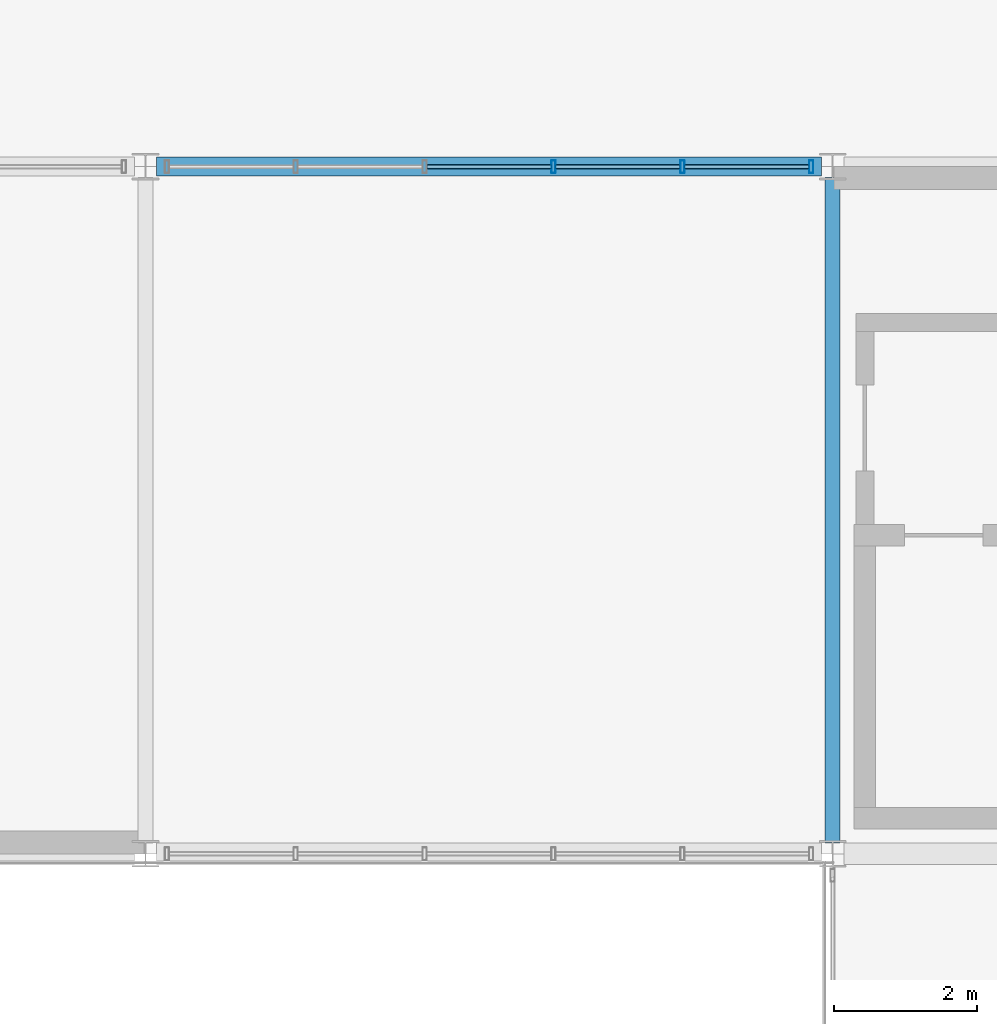
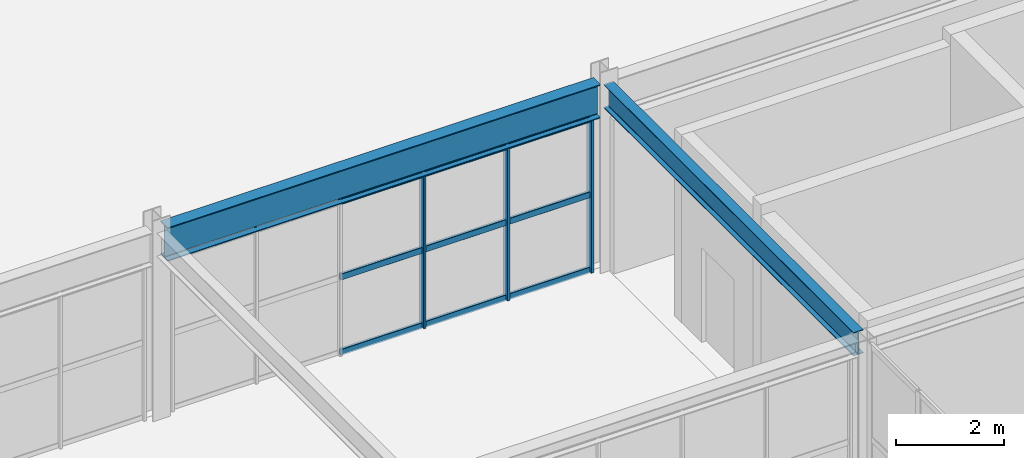
# One storey, part 103 of 170: 12 members, 2 beams, 1 element without a shape of its own.
"""IFC4 building model written with IfcOpenShell, lengths in metres."""

from ifc_helpers import new_model, si_unit, direction, frame, origin, origin_2d, place, context, subcontext, project, spatial, hollow_rectangle, i_section, extrude, material, material_profile, profile_set, type_object, element, aggregate, save


model = new_model("IFC4")

# Units and contexts
model_context = context("Model", 3, precision=1e-05, world=origin(), true_north=direction((0.0, 1.0)))
body_context = subcontext(model_context, "Body", "Model", "MODEL_VIEW")
ifc_project = project(units=[si_unit("LENGTHUNIT", "METRE"), si_unit("AREAUNIT", "SQUARE_METRE"), si_unit("VOLUMEUNIT", "CUBIC_METRE"), si_unit("PLANEANGLEUNIT", "RADIAN"), si_unit("MASSUNIT", "GRAM", prefix="KILO")], contexts=[model_context])

# Site, building, storey
site_placement = place(None, origin())
site = spatial("IfcSite", under=ifc_project, at=site_placement, CompositionType="ELEMENT")
building_placement = place(site_placement, origin())
building = spatial("IfcBuilding", under=site, at=building_placement, Name="Coralgate Yard Interchange", CompositionType="ELEMENT")
storey_placement = place(building_placement, frame((0.0, 0.0, 6.0)))
storey = spatial("IfcBuildingStorey", under=building, at=storey_placement, Name="L01", CompositionType="ELEMENT", Elevation=6.0)

# Beams
ifc_material_1 = material(Name="Structural steel S355J2", Category="steel")
ifc_material_profile_1 = material_profile(ifc_material_1, i_section(OverallWidth=0.209228515625, OverallDepth=0.533203125, WebThickness=0.010009765625, FlangeThickness=0.015625, FilletRadius=0.0126953125, at=origin_2d()), Name="UB 533x210x92")
ifc_profile_set_1 = profile_set([ifc_material_profile_1], Name="Structural steel S355J2")
beam_type_1 = type_object("IfcBeamType", Name="BM-SB-1", PredefinedType="BEAM", material=ifc_profile_set_1)
beam_1_placement = place(storey_placement, frame((124.800048828125, 67.35400390625, 3.9833984375), z_axis=(0.0, 1.0, 0.0), x_axis=(-1.0, 0.0, 0.0)))
element("IfcBeam", 1, at=beam_1_placement, inside=storey, type_object=beam_type_1, Name="L01 primary grid girder X13 Y7-8", PredefinedType="BEAM", context=body_context, shape_type="SweptSolid", body=[
    extrude(i_section(OverallWidth=0.209228515625, OverallDepth=0.533203125, WebThickness=0.010009765625, FlangeThickness=0.015625, FilletRadius=0.0126953125, at=origin_2d()), origin(), (0.0, 0.0, 1.0), 9.2919921875),
])
ifc_material_profile_2 = material_profile(ifc_material_1, i_section(OverallWidth=0.2666015625, OverallDepth=0.76220703125, WebThickness=0.014404296875, FlangeThickness=0.021484375, FilletRadius=0.0166015625, at=origin_2d()), Name="UB 762x267x173")
ifc_profile_set_2 = profile_set([ifc_material_profile_2], Name="Structural steel S355J2")
beam_type_2 = type_object("IfcBeamType", Name="BM-SG-3", PredefinedType="BEAM", material=ifc_profile_set_2)
beam_2_placement = place(storey_placement, frame((115.356201171875, 76.800048828125, 3.868896484375), z_axis=(1.0, 0.0, 0.0), x_axis=(0.0, 1.0, 0.0)))
element("IfcBeam", 2, at=beam_2_placement, inside=storey, type_object=beam_type_2, Name="L01 primary grid beam Y8 X12-13", PredefinedType="BEAM", context=body_context, shape_type="SweptSolid", body=[
    extrude(i_section(OverallWidth=0.2666015625, OverallDepth=0.76220703125, WebThickness=0.014404296875, FlangeThickness=0.021484375, FilletRadius=0.0166015625, at=origin_2d()), origin(), (0.0, 0.0, 1.0), 9.28759765625),
])

# Curtain wall, members
ifc_material_2 = material(Name="Anodised coastal aluminium and solar-control low-E glass", Category="aluminium")
curtain_wall_type = type_object("IfcCurtainWallType", Name="CW-CW-L01-B", PredefinedType="NOTDEFINED", material=ifc_material_2)
curtain_wall_placement = place(storey_placement, origin())
curtain_wall = element("IfcCurtainWall", 3, at=curtain_wall_placement, inside=storey, type_object=curtain_wall_type, Name="L01 unitised curtain wall CW-L01-N-12-07", PredefinedType="NOTDEFINED")
ifc_material_3 = material(Name="Anodised coastal aluminium 6063-T6", Category="aluminium")
ifc_material_profile_3 = material_profile(ifc_material_3, hollow_rectangle(XDim=0.06005859375, YDim=0.179931640625, WallThickness=0.00390625, InnerFilletRadius=0.00390625, OuterFilletRadius=0.008056640625, at=origin_2d()), Name="ALU 60x180x4")
ifc_profile_set_3 = profile_set([ifc_material_profile_3], Name="Anodised coastal aluminium 6063-T6")
member_type_1 = type_object("IfcMemberType", Name="MB-MUL-180", PredefinedType="MULLION", material=ifc_profile_set_3)
member_1_placement = place(storey_placement, frame((120.89990234375, 76.800048828125, 0.0), z_axis=(0.0, 0.0, 1.0), x_axis=(1.0, 0.0, 0.0)))
member_1 = element("IfcMember", 4, at=member_1_placement, type_object=member_type_1, Name="CW-L01-N-12-07 vertical mullion 4", PredefinedType="MULLION", context=body_context, shape_type="SweptSolid", body=[
    extrude(hollow_rectangle(XDim=0.06005859375, YDim=0.179931640625, WallThickness=0.00390625, InnerFilletRadius=0.00390625, OuterFilletRadius=0.008056640625, at=origin_2d()), origin(), (0.0, 0.0, 1.0), 3.48779296875),
])
member_2_placement = place(storey_placement, frame((122.699951171875, 76.800048828125, 0.0), z_axis=(0.0, 0.0, 1.0), x_axis=(1.0, 0.0, 0.0)))
member_2 = element("IfcMember", 5, at=member_2_placement, type_object=member_type_1, Name="CW-L01-N-12-07 vertical mullion 5", PredefinedType="MULLION", context=body_context, shape_type="SweptSolid", body=[
    extrude(hollow_rectangle(XDim=0.06005859375, YDim=0.179931640625, WallThickness=0.00390625, InnerFilletRadius=0.00390625, OuterFilletRadius=0.008056640625, at=origin_2d()), origin(), (0.0, 0.0, 1.0), 3.48779296875),
])
member_3_placement = place(storey_placement, frame((124.5, 76.800048828125, 0.0), z_axis=(0.0, 0.0, 1.0), x_axis=(1.0, 0.0, 0.0)))
member_3 = element("IfcMember", 6, at=member_3_placement, type_object=member_type_1, Name="CW-L01-N-12-07 vertical mullion 6", PredefinedType="MULLION", context=body_context, shape_type="SweptSolid", body=[
    extrude(hollow_rectangle(XDim=0.06005859375, YDim=0.179931640625, WallThickness=0.00390625, InnerFilletRadius=0.00390625, OuterFilletRadius=0.008056640625, at=origin_2d()), origin(), (0.0, 0.0, 1.0), 3.48779296875),
])
ifc_material_profile_4 = material_profile(ifc_material_3, hollow_rectangle(XDim=0.06005859375, YDim=0.139892578125, WallThickness=0.00341796875, InnerFilletRadius=0.00341796875, OuterFilletRadius=0.007080078125, at=origin_2d()), Name="ALU 60x140x3.5")
ifc_profile_set_4 = profile_set([ifc_material_profile_4], Name="Anodised coastal aluminium 6063-T6")
member_type_2 = type_object("IfcMemberType", Name="MB-TRN-140", PredefinedType="USERDEFINED", material=ifc_profile_set_4)
member_4_placement = place(storey_placement, frame((119.1298828125, 76.800048828125, 0.034912109375), z_axis=(1.0, 0.0, 0.0), x_axis=(0.0, 1.0, 0.0)))
member_4 = element("IfcMember", 7, at=member_4_placement, type_object=member_type_2, Name="CW-L01-N-12-07 horizontal transom 3-1", ObjectType="TRANSOM", PredefinedType="USERDEFINED", context=body_context, shape_type="SweptSolid", body=[
    extrude(hollow_rectangle(XDim=0.06005859375, YDim=0.139892578125, WallThickness=0.00341796875, InnerFilletRadius=0.00341796875, OuterFilletRadius=0.007080078125, at=origin_2d()), origin(), (0.0, 0.0, 1.0), 1.740234375),
])
member_5_placement = place(storey_placement, frame((119.1298828125, 76.800048828125, 1.743896484375), z_axis=(1.0, 0.0, 0.0), x_axis=(0.0, 1.0, 0.0)))
member_5 = element("IfcMember", 8, at=member_5_placement, type_object=member_type_2, Name="CW-L01-N-12-07 horizontal transom 3-2", ObjectType="TRANSOM", PredefinedType="USERDEFINED", context=body_context, shape_type="SweptSolid", body=[
    extrude(hollow_rectangle(XDim=0.06005859375, YDim=0.139892578125, WallThickness=0.00341796875, InnerFilletRadius=0.00341796875, OuterFilletRadius=0.007080078125, at=origin_2d()), origin(), (0.0, 0.0, 1.0), 1.740234375),
])
member_6_placement = place(storey_placement, frame((119.1298828125, 76.800048828125, 3.452880859375), z_axis=(1.0, 0.0, 0.0), x_axis=(0.0, 1.0, 0.0)))
member_6 = element("IfcMember", 9, at=member_6_placement, type_object=member_type_2, Name="CW-L01-N-12-07 horizontal transom 3-3", ObjectType="TRANSOM", PredefinedType="USERDEFINED", context=body_context, shape_type="SweptSolid", body=[
    extrude(hollow_rectangle(XDim=0.06005859375, YDim=0.139892578125, WallThickness=0.00341796875, InnerFilletRadius=0.00341796875, OuterFilletRadius=0.007080078125, at=origin_2d()), origin(), (0.0, 0.0, 1.0), 1.740234375),
])
member_7_placement = place(storey_placement, frame((120.929931640625, 76.800048828125, 0.034912109375), z_axis=(1.0, 0.0, 0.0), x_axis=(0.0, 1.0, 0.0)))
member_7 = element("IfcMember", 10, at=member_7_placement, type_object=member_type_2, Name="CW-L01-N-12-07 horizontal transom 4-1", ObjectType="TRANSOM", PredefinedType="USERDEFINED", context=body_context, shape_type="SweptSolid", body=[
    extrude(hollow_rectangle(XDim=0.06005859375, YDim=0.139892578125, WallThickness=0.00341796875, InnerFilletRadius=0.00341796875, OuterFilletRadius=0.007080078125, at=origin_2d()), origin(), (0.0, 0.0, 1.0), 1.739990234375),
])
member_8_placement = place(storey_placement, frame((120.929931640625, 76.800048828125, 1.743896484375), z_axis=(1.0, 0.0, 0.0), x_axis=(0.0, 1.0, 0.0)))
member_8 = element("IfcMember", 11, at=member_8_placement, type_object=member_type_2, Name="CW-L01-N-12-07 horizontal transom 4-2", ObjectType="TRANSOM", PredefinedType="USERDEFINED", context=body_context, shape_type="SweptSolid", body=[
    extrude(hollow_rectangle(XDim=0.06005859375, YDim=0.139892578125, WallThickness=0.00341796875, InnerFilletRadius=0.00341796875, OuterFilletRadius=0.007080078125, at=origin_2d()), origin(), (0.0, 0.0, 1.0), 1.739990234375),
])
member_9_placement = place(storey_placement, frame((120.929931640625, 76.800048828125, 3.452880859375), z_axis=(1.0, 0.0, 0.0), x_axis=(0.0, 1.0, 0.0)))
member_9 = element("IfcMember", 12, at=member_9_placement, type_object=member_type_2, Name="CW-L01-N-12-07 horizontal transom 4-3", ObjectType="TRANSOM", PredefinedType="USERDEFINED", context=body_context, shape_type="SweptSolid", body=[
    extrude(hollow_rectangle(XDim=0.06005859375, YDim=0.139892578125, WallThickness=0.00341796875, InnerFilletRadius=0.00341796875, OuterFilletRadius=0.007080078125, at=origin_2d()), origin(), (0.0, 0.0, 1.0), 1.739990234375),
])
member_10_placement = place(storey_placement, frame((122.72998046875, 76.800048828125, 0.034912109375), z_axis=(1.0, 0.0, 0.0), x_axis=(0.0, 1.0, 0.0)))
member_10 = element("IfcMember", 13, at=member_10_placement, type_object=member_type_2, Name="CW-L01-N-12-07 horizontal transom 5-1", ObjectType="TRANSOM", PredefinedType="USERDEFINED", context=body_context, shape_type="SweptSolid", body=[
    extrude(hollow_rectangle(XDim=0.06005859375, YDim=0.139892578125, WallThickness=0.00341796875, InnerFilletRadius=0.00341796875, OuterFilletRadius=0.007080078125, at=origin_2d()), origin(), (0.0, 0.0, 1.0), 1.739990234375),
])
member_11_placement = place(storey_placement, frame((122.72998046875, 76.800048828125, 1.743896484375), z_axis=(1.0, 0.0, 0.0), x_axis=(0.0, 1.0, 0.0)))
member_11 = element("IfcMember", 14, at=member_11_placement, type_object=member_type_2, Name="CW-L01-N-12-07 horizontal transom 5-2", ObjectType="TRANSOM", PredefinedType="USERDEFINED", context=body_context, shape_type="SweptSolid", body=[
    extrude(hollow_rectangle(XDim=0.06005859375, YDim=0.139892578125, WallThickness=0.00341796875, InnerFilletRadius=0.00341796875, OuterFilletRadius=0.007080078125, at=origin_2d()), origin(), (0.0, 0.0, 1.0), 1.739990234375),
])
member_12_placement = place(storey_placement, frame((122.72998046875, 76.800048828125, 3.452880859375), z_axis=(1.0, 0.0, 0.0), x_axis=(0.0, 1.0, 0.0)))
member_12 = element("IfcMember", 15, at=member_12_placement, type_object=member_type_2, Name="CW-L01-N-12-07 horizontal transom 5-3", ObjectType="TRANSOM", PredefinedType="USERDEFINED", context=body_context, shape_type="SweptSolid", body=[
    extrude(hollow_rectangle(XDim=0.06005859375, YDim=0.139892578125, WallThickness=0.00341796875, InnerFilletRadius=0.00341796875, OuterFilletRadius=0.007080078125, at=origin_2d()), origin(), (0.0, 0.0, 1.0), 1.739990234375),
])
aggregate(curtain_wall, [member_1, member_2, member_3, member_4, member_5, member_6, member_7, member_8, member_9, member_10, member_11, member_12])

save(model, "model.ifc")
